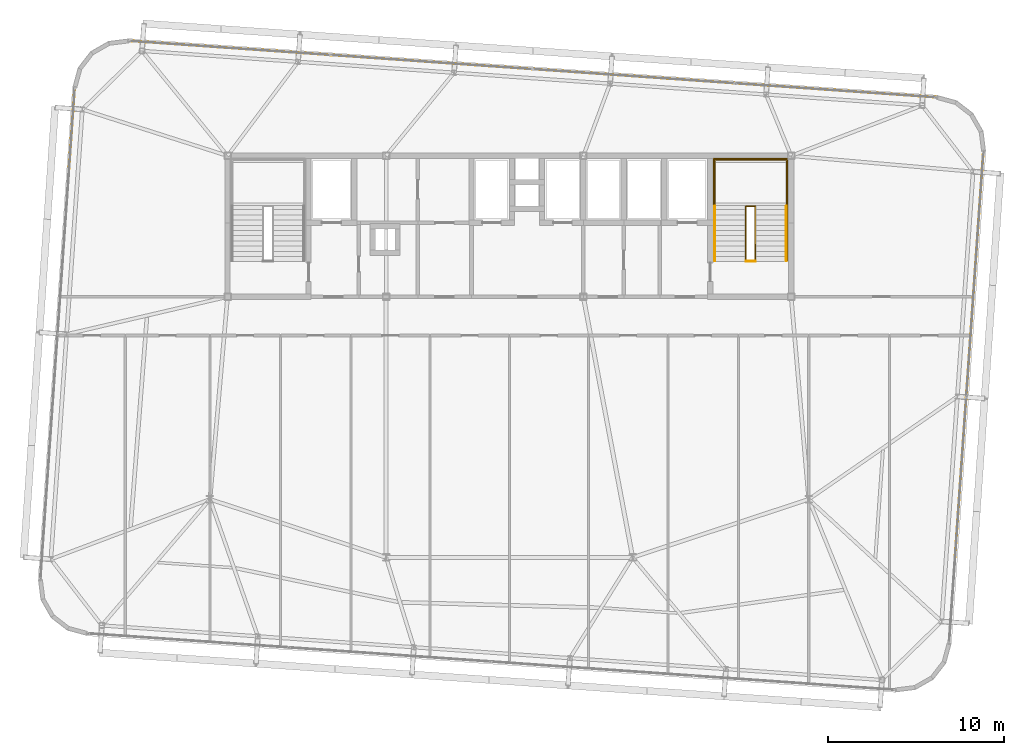
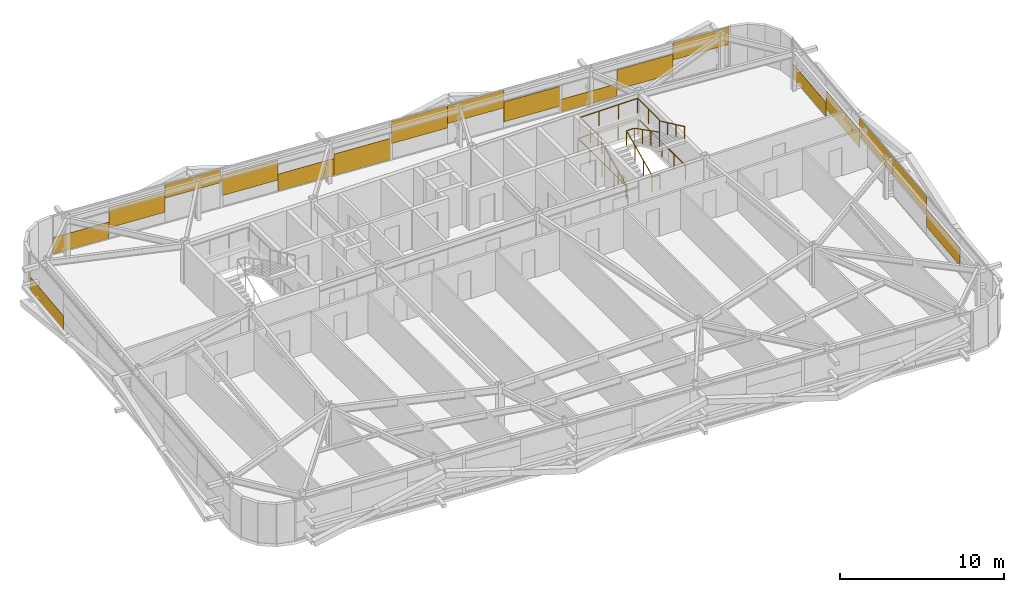
# One storey, part 39 of 39: 18 coverings, 6 railings.
"""IFC4 building model written with IfcOpenShell, lengths in metres."""

from ifc_helpers import new_model, si_unit, direction, frame, origin, origin_2d, place, context, subcontext, project, spatial, rectangle, extrude, source, transform, mapped, material, layer, layer_set, type_object, element, save


model = new_model("IFC4")

# Units and contexts
model_context = context("Model", 3, precision=1e-05, world=origin(), true_north=direction((0.0, 1.0)))
body_context = subcontext(model_context, "Body", "Model", "MODEL_VIEW")
ifc_project = project(units=[si_unit("LENGTHUNIT", "METRE"), si_unit("AREAUNIT", "SQUARE_METRE"), si_unit("VOLUMEUNIT", "CUBIC_METRE"), si_unit("PLANEANGLEUNIT", "RADIAN"), si_unit("MASSUNIT", "GRAM", prefix="KILO")], contexts=[model_context])

# Site, building, storey
site_placement = place(None, origin())
site = spatial("IfcSite", under=ifc_project, at=site_placement, CompositionType="ELEMENT")
building_placement = place(site_placement, origin())
building = spatial("IfcBuilding", under=site, at=building_placement, Name="Taldren Reach Tower", CompositionType="ELEMENT")
storey_placement = place(building_placement, frame((0.0, 0.0, 158.199951171875)))
storey = spatial("IfcBuildingStorey", under=building, at=storey_placement, Name="L48", CompositionType="ELEMENT", Elevation=158.199951171875)

# Railings
ifc_material_1 = material(Name="Steel Gr 350 (C350L0)", Category="steel")
ifc_layer_1 = layer(ifc_material_1, 0.050048828125)
ifc_layer_set_1 = layer_set([ifc_layer_1], Name="Steel Gr 350 (C350L0)")
railing_type_1 = type_object("IfcRailingType", Name="RL-STAIR-GR", PredefinedType="GUARDRAIL", material=ifc_layer_set_1)
railing_1_placement = place(storey_placement, frame((46.659912109375, 29.135009765625, 1.574951171875)))
element("IfcRailing", 1, at=railing_1_placement, inside=storey, type_object=railing_type_1, Name="Stair half-landing perimeter guard ST2-L48", PredefinedType="GUARDRAIL", context=body_context, shape_type="SweptSolid", body=[
    extrude(rectangle(XDim=0.047852, YDim=0.047852, at=origin_2d()), frame((0.0, 0.0, 1.09619140625), z_axis=(0.0, 1.0, 0.0), x_axis=(-1.0, 0.0, 0.0)), (0.0, 0.0, 1.0), 2.64501953125),
    extrude(rectangle(XDim=0.047852, YDim=0.047852, at=origin_2d()), frame((0.0, 2.64501953125, 1.09619140625), z_axis=(1.0, 0.0, 0.0), x_axis=(0.0, 1.0, 0.0)), (0.0, 0.0, 1.0), 4.080078125),
    extrude(rectangle(XDim=0.047852, YDim=0.047852, at=origin_2d()), frame((4.080078125, 2.64501953125, 1.09619140625), z_axis=(0.0, -1.0, 0.0), x_axis=(1.0, 0.0, 0.0)), (0.0, 0.0, 1.0), 2.64501953125),
    extrude(rectangle(XDim=0.041992, YDim=0.041992, at=origin_2d()), origin(), (0.0, 0.0, 1.0), 1.072021484375),
    extrude(rectangle(XDim=0.041992, YDim=0.041992, at=origin_2d()), frame((0.0, 1.322509765625, 0.0)), (0.0, 0.0, 1.0), 1.072021484375),
    extrude(rectangle(XDim=0.041992, YDim=0.041992, at=origin_2d()), frame((0.0, 2.64501953125, 0.0)), (0.0, 0.0, 1.0), 1.072021484375),
    extrude(rectangle(XDim=0.041992, YDim=0.041992, at=origin_2d()), frame((1.360107421875, 2.64501953125, 0.0)), (0.0, 0.0, 1.0), 1.072021484375),
    extrude(rectangle(XDim=0.041992, YDim=0.041992, at=origin_2d()), frame((2.719970703125, 2.64501953125, 0.0)), (0.0, 0.0, 1.0), 1.072021484375),
    extrude(rectangle(XDim=0.041992, YDim=0.041992, at=origin_2d()), frame((4.080078125, 2.64501953125, 0.0)), (0.0, 0.0, 1.0), 1.072021484375),
    extrude(rectangle(XDim=0.041992, YDim=0.041992, at=origin_2d()), frame((4.080078125, 1.322509765625, 0.0)), (0.0, 0.0, 1.0), 1.072021484375),
    extrude(rectangle(XDim=0.041992, YDim=0.041992, at=origin_2d()), frame((4.080078125, 0.0, 0.0)), (0.0, 0.0, 1.0), 1.072021484375),
])
railing_2_placement = place(storey_placement, frame((48.429931640625, 26.050048828125, 0.13134765625)))
element("IfcRailing", 2, at=railing_2_placement, inside=storey, type_object=railing_type_1, Name="Stairwell inner guard ST2-L48", PredefinedType="GUARDRAIL", context=body_context, shape_type="SweptSolid", body=[
    extrude(rectangle(XDim=0.047852, YDim=0.047852, at=origin_2d()), frame((0.0, 0.0, 1.09619140625), z_axis=(0.0, 0.905737652094, 0.423838773095), x_axis=(-1.0, 0.0, 0.0)), (0.0, 0.0, 1.0), 3.406005859375),
    extrude(rectangle(XDim=0.047852, YDim=0.047852, at=origin_2d()), frame((0.0, 3.0849609375, 2.53955078125), z_axis=(1.0, 0.0, 0.0), x_axis=(0.0, 1.0, 0.0)), (0.0, 0.0, 1.0), 0.5400390625),
    extrude(rectangle(XDim=0.047852, YDim=0.047852, at=origin_2d()), frame((0.5400390625, 3.0849609375, 2.53955078125), z_axis=(0.0, -0.890617412389, 0.454753366946), x_axis=(1.0, 0.0, 0.0)), (0.0, 0.0, 1.0), 3.4638671875),
    extrude(rectangle(XDim=0.041992, YDim=0.041992, at=origin_2d()), origin(), (0.0, 0.0, 1.0), 1.072021484375),
    extrude(rectangle(XDim=0.041992, YDim=0.041992, at=origin_2d()), frame((0.0, 1.0283203125, 0.481201171875)), (0.0, 0.0, 1.0), 1.072021484375),
    extrude(rectangle(XDim=0.041992, YDim=0.041992, at=origin_2d()), frame((0.0, 2.056640625, 0.96240234375)), (0.0, 0.0, 1.0), 1.072021484375),
    extrude(rectangle(XDim=0.041992, YDim=0.041992, at=origin_2d()), frame((0.0, 3.0849609375, 1.443603515625)), (0.0, 0.0, 1.0), 1.072021484375),
    extrude(rectangle(XDim=0.041992, YDim=0.041992, at=origin_2d()), frame((0.5400390625, 3.0849609375, 1.443603515625)), (0.0, 0.0, 1.0), 1.072021484375),
    extrude(rectangle(XDim=0.041992, YDim=0.041992, at=origin_2d()), frame((0.5400390625, 2.056640625, 1.96875)), (0.0, 0.0, 1.0), 1.072021484375),
    extrude(rectangle(XDim=0.041992, YDim=0.041992, at=origin_2d()), frame((0.5400390625, 1.0283203125, 2.49365234375)), (0.0, 0.0, 1.0), 1.072021484375),
    extrude(rectangle(XDim=0.041992, YDim=0.041992, at=origin_2d()), frame((0.5400390625, 0.0, 3.018798828125)), (0.0, 0.0, 1.0), 1.072021484375),
])
railing_3_placement = place(storey_placement, frame((48.429931640625, 26.010009765625, 0.0)))
element("IfcRailing", 3, at=railing_3_placement, inside=storey, type_object=railing_type_1, Name="Stairwell landing slot guard ST2-L48", PredefinedType="GUARDRAIL", context=body_context, shape_type="SweptSolid", body=[
    extrude(rectangle(XDim=0.047852, YDim=0.047852, at=origin_2d()), frame((0.0, 0.0, 1.09619140625), z_axis=(1.0, 0.0, 0.0), x_axis=(0.0, 1.0, 0.0)), (0.0, 0.0, 1.0), 0.5400390625),
    extrude(rectangle(XDim=0.041992, YDim=0.041992, at=origin_2d()), origin(), (0.0, 0.0, 1.0), 1.072021484375),
    extrude(rectangle(XDim=0.041992, YDim=0.041992, at=origin_2d()), frame((0.5400390625, 0.0, 0.0)), (0.0, 0.0, 1.0), 1.072021484375),
])
railing_4_placement = place(storey_placement, frame((46.590087890625, 26.050048828125, 0.0)))
element("IfcRailing", 4, at=railing_4_placement, inside=storey, type_object=railing_type_1, Name="Stairwell floor opening guard ST2-L48", PredefinedType="GUARDRAIL", context=body_context, shape_type="SweptSolid", body=[
    extrude(rectangle(XDim=0.047852, YDim=0.047852, at=origin_2d()), frame((0.0, 0.0, 1.09619140625), z_axis=(0.0, 1.0, 0.0), x_axis=(-1.0, 0.0, 0.0)), (0.0, 0.0, 1.0), 5.800048828125),
    extrude(rectangle(XDim=0.047852, YDim=0.047852, at=origin_2d()), frame((0.0, 5.800048828125, 1.09619140625), z_axis=(1.0, 0.0, 0.0), x_axis=(0.0, 1.0, 0.0)), (0.0, 0.0, 1.0), 4.219970703125),
    extrude(rectangle(XDim=0.047852, YDim=0.047852, at=origin_2d()), frame((4.219970703125, 5.800048828125, 1.09619140625), z_axis=(0.0, -1.0, 0.0), x_axis=(1.0, 0.0, 0.0)), (0.0, 0.0, 1.0), 5.800048828125),
    extrude(rectangle(XDim=0.041992, YDim=0.041992, at=origin_2d()), origin(), (0.0, 0.0, 1.0), 1.072021484375),
    extrude(rectangle(XDim=0.041992, YDim=0.041992, at=origin_2d()), frame((0.0, 1.449951171875, 0.0)), (0.0, 0.0, 1.0), 1.072021484375),
    extrude(rectangle(XDim=0.041992, YDim=0.041992, at=origin_2d()), frame((0.0, 2.89990234375, 0.0)), (0.0, 0.0, 1.0), 1.072021484375),
    extrude(rectangle(XDim=0.041992, YDim=0.041992, at=origin_2d()), frame((0.0, 4.35009765625, 0.0)), (0.0, 0.0, 1.0), 1.072021484375),
    extrude(rectangle(XDim=0.041992, YDim=0.041992, at=origin_2d()), frame((0.0, 5.800048828125, 0.0)), (0.0, 0.0, 1.0), 1.072021484375),
    extrude(rectangle(XDim=0.041992, YDim=0.041992, at=origin_2d()), frame((1.40673828125, 5.800048828125, 0.0)), (0.0, 0.0, 1.0), 1.072021484375),
    extrude(rectangle(XDim=0.041992, YDim=0.041992, at=origin_2d()), frame((2.813232421875, 5.800048828125, 0.0)), (0.0, 0.0, 1.0), 1.072021484375),
    extrude(rectangle(XDim=0.041992, YDim=0.041992, at=origin_2d()), frame((4.219970703125, 5.800048828125, 0.0)), (0.0, 0.0, 1.0), 1.072021484375),
    extrude(rectangle(XDim=0.041992, YDim=0.041992, at=origin_2d()), frame((4.219970703125, 4.35009765625, 0.0)), (0.0, 0.0, 1.0), 1.072021484375),
    extrude(rectangle(XDim=0.041992, YDim=0.041992, at=origin_2d()), frame((4.219970703125, 2.89990234375, 0.0)), (0.0, 0.0, 1.0), 1.072021484375),
    extrude(rectangle(XDim=0.041992, YDim=0.041992, at=origin_2d()), frame((4.219970703125, 1.449951171875, 0.0)), (0.0, 0.0, 1.0), 1.072021484375),
    extrude(rectangle(XDim=0.041992, YDim=0.041992, at=origin_2d()), frame((4.219970703125, 0.0, 0.0)), (0.0, 0.0, 1.0), 1.072021484375),
])
ifc_material_2 = material(Name="Stainless Steel Gr 316", Category="steel")
ifc_layer_2 = layer(ifc_material_2, 0.048095703125)
ifc_layer_set_2 = layer_set([ifc_layer_2], Name="Stainless Steel Gr 316")
railing_type_2 = type_object("IfcRailingType", Name="RL-STAIR-HR", PredefinedType="HANDRAIL", material=ifc_layer_set_2)
railing_5_placement = place(storey_placement, frame((46.669921875, 26.050048828125, 0.13134765625)))
element("IfcRailing", 5, at=railing_5_placement, inside=storey, type_object=railing_type_2, Name="Stair flight handrail ST2-L48-1", PredefinedType="HANDRAIL", context=body_context, shape_type="SweptSolid", body=[
    extrude(rectangle(XDim=0.047852, YDim=0.047852, at=origin_2d()), frame((0.0, 0.0, 0.89599609375), z_axis=(0.0, 0.905737652094, 0.423838773095), x_axis=(-1.0, 0.0, 0.0)), (0.0, 0.0, 1.0), 3.406005859375),
    extrude(rectangle(XDim=0.041992, YDim=0.041992, at=origin_2d()), origin(), (0.0, 0.0, 1.0), 0.871826171875),
    extrude(rectangle(XDim=0.041992, YDim=0.041992, at=origin_2d()), frame((0.0, 1.0283203125, 0.481201171875)), (0.0, 0.0, 1.0), 0.871826171875),
    extrude(rectangle(XDim=0.041992, YDim=0.041992, at=origin_2d()), frame((0.0, 2.056640625, 0.96240234375)), (0.0, 0.0, 1.0), 0.871826171875),
    extrude(rectangle(XDim=0.041992, YDim=0.041992, at=origin_2d()), frame((0.0, 3.0849609375, 1.443603515625)), (0.0, 0.0, 1.0), 0.871826171875),
])
railing_6_placement = place(storey_placement, frame((50.72998046875, 29.135009765625, 1.706298828125)))
element("IfcRailing", 6, at=railing_6_placement, inside=storey, type_object=railing_type_2, Name="Stair flight handrail ST2-L48-2", PredefinedType="HANDRAIL", context=body_context, shape_type="SweptSolid", body=[
    extrude(rectangle(XDim=0.047852, YDim=0.047852, at=origin_2d()), frame((0.0, 0.0, 0.89599609375), z_axis=(0.0, -0.905710134349, 0.423897573167), x_axis=(1.0, 0.0, 0.0)), (0.0, 0.0, 1.0), 3.406005859375),
    extrude(rectangle(XDim=0.041992, YDim=0.041992, at=origin_2d()), origin(), (0.0, 0.0, 1.0), 0.871826171875),
    extrude(rectangle(XDim=0.041992, YDim=0.041992, at=origin_2d()), frame((0.0, -1.0283203125, 0.481201171875)), (0.0, 0.0, 1.0), 0.871826171875),
    extrude(rectangle(XDim=0.041992, YDim=0.041992, at=origin_2d()), frame((0.0, -2.056640625, 0.962646484375)), (0.0, 0.0, 1.0), 0.871826171875),
    extrude(rectangle(XDim=0.041992, YDim=0.041992, at=origin_2d()), frame((0.0, -3.0849609375, 1.44384765625)), (0.0, 0.0, 1.0), 0.871826171875),
])

# Coverings
ifc_material_3 = material(Name="Pale Champagne Fluoropolymer Aluminium Spandrel Cladding", Category="aluminium")
ifc_layer_3 = layer(ifc_material_3, 0.0439453125)
ifc_layer_set_3 = layer_set([ifc_layer_3], Name="Pale Champagne Fluoropolymer Aluminium Spandrel Cladding")
covering_type = type_object("IfcCoveringType", Name="CV-CLAD-044", PredefinedType="CLADDING", material=ifc_layer_set_3)
shared_shape_1 = source(origin(), body_context, "Body", "SweptSolid", [
    extrude(rectangle(XDim=3.79833984375, YDim=0.0439453125, at=origin_2d()), origin(), (0.0, 0.0, 1.0), 1.22216796875),
])
covering_1_placement = place(storey_placement, frame((15.346435546875, 38.385986328125, 0.05517578125), z_axis=(0.0, 0.0, 1.0), x_axis=(-0.99756404731, 0.06975651593, 0.0)))
element("IfcCovering", 7, at=covering_1_placement, inside=storey, type_object=covering_type, Name="Diagrid closure cladding strip CW-4 panel 4.1 3", PredefinedType="CLADDING", context=body_context, shape_type="MappedRepresentation", body=[
    mapped(shared_shape_1, transform((0.0, 0.0, 0.0), scale=1.0)),
])
shared_shape_2 = source(origin(), body_context, "Body", "SweptSolid", [
    extrude(rectangle(XDim=3.79833984375, YDim=0.0439453125, at=origin_2d()), origin(), (0.0, 0.0, 1.0), 1.474365234375),
])
for number, where, z_axis, x_axis, name in (
    (8, (53.5166015625, 35.716796875, 0.5537109375), (0.0, 0.0, 1.0), (-0.99756404731, 0.06975651593, 0.0), "Diagrid closure cladding strip CW-4 panel 1.1 2"),
    (9, (19.135498046875, 38.12109375, 0.84228515625), (0.0, 0.0, 1.0), (-0.99756404731, 0.06975651593, 0.0), "Diagrid closure cladding strip CW-4 panel 4.1 2"),
):
    element("IfcCovering", number, at=place(storey_placement, frame(where, z_axis=z_axis, x_axis=x_axis)), inside=storey, type_object=covering_type, Name=name, PredefinedType="CLADDING", context=body_context, shape_type="MappedRepresentation", body=[
        mapped(shared_shape_2, transform((0.0, 0.0, 0.0), scale=1.0)),
    ])
shared_shape_3 = source(origin(), body_context, "Body", "SweptSolid", [
    extrude(rectangle(XDim=3.79833984375, YDim=0.0439453125, at=origin_2d()), origin(), (0.0, 0.0, 1.0), 0.993408203125),
])
covering_2_placement = place(storey_placement, frame((22.924560546875, 37.85595703125, 1.8818359375), z_axis=(0.0, 0.0, 1.0), x_axis=(-0.99756404731, 0.06975651593, 0.0)))
element("IfcCovering", 10, at=covering_2_placement, inside=storey, type_object=covering_type, Name="Diagrid closure cladding strip CW-4 panel 4.1 1", PredefinedType="CLADDING", context=body_context, shape_type="MappedRepresentation", body=[
    mapped(shared_shape_3, transform((0.0, 0.0, 0.0), scale=1.0)),
])
shared_shape_4 = source(origin(), body_context, "Body", "SweptSolid", [
    extrude(rectangle(XDim=3.81005859375, YDim=0.0439453125, at=origin_2d()), origin(), (0.0, 0.0, 1.0), 1.477783203125),
])
for number, where, z_axis, x_axis, name in (
    (11, (45.86279296875, 36.251953125, 0.51025390625), (0.0, 0.0, 1.0), (-0.99756404731, 0.06975651593, 0.0), "Diagrid closure cladding strip CW-4 panel 2.1 1"),
    (12, (26.789306640625, 37.585693359375, 0.88232421875), (0.0, 0.0, 1.0), (-0.99756404731, 0.06975651593, 0.0), "Diagrid closure cladding strip CW-4 panel 3.1 3"),
):
    element("IfcCovering", number, at=place(storey_placement, frame(where, z_axis=z_axis, x_axis=x_axis)), inside=storey, type_object=covering_type, Name=name, PredefinedType="CLADDING", context=body_context, shape_type="MappedRepresentation", body=[
        mapped(shared_shape_4, transform((0.0, 0.0, 0.0), scale=1.0)),
    ])
shared_shape_5 = source(origin(), body_context, "Body", "SweptSolid", [
    extrude(rectangle(XDim=3.81005859375, YDim=0.0439453125, at=origin_2d()), origin(), (0.0, 0.0, 1.0), 1.26220703125),
])
covering_3_placement = place(storey_placement, frame((30.590087890625, 37.320068359375, 0.05517578125), z_axis=(0.0, 0.0, 1.0), x_axis=(-0.99756404731, 0.06975651593, 0.0)))
element("IfcCovering", 13, at=covering_3_placement, inside=storey, type_object=covering_type, Name="Diagrid closure cladding strip CW-4 panel 3.1 2", PredefinedType="CLADDING", context=body_context, shape_type="MappedRepresentation", body=[
    mapped(shared_shape_5, transform((0.0, 0.0, 0.0), scale=1.0)),
])
shared_shape_6 = source(origin(), body_context, "Body", "SweptSolid", [
    extrude(rectangle(XDim=3.81005859375, YDim=0.0439453125, at=origin_2d()), origin(), (0.0, 0.0, 1.0), 1.587890625),
])
covering_4_placement = place(storey_placement, frame((34.390869140625, 37.05419921875, 0.05517578125), z_axis=(0.0, 0.0, 1.0), x_axis=(-0.99756404731, 0.06975651593, 0.0)))
element("IfcCovering", 14, at=covering_4_placement, inside=storey, type_object=covering_type, Name="Diagrid closure cladding strip CW-4 panel 3.1 1", PredefinedType="CLADDING", context=body_context, shape_type="MappedRepresentation", body=[
    mapped(shared_shape_6, transform((0.0, 0.0, 0.0), scale=1.0)),
])
shared_shape_7 = source(origin(), body_context, "Body", "SweptSolid", [
    extrude(rectangle(XDim=3.81005859375, YDim=0.0439453125, at=origin_2d()), origin(), (0.0, 0.0, 1.0), 1.64794921875),
])
covering_5_placement = place(storey_placement, frame((38.261474609375, 36.78369140625, 1.22705078125), z_axis=(0.0, 0.0, 1.0), x_axis=(-0.99756404731, 0.06975651593, 0.0)))
element("IfcCovering", 15, at=covering_5_placement, inside=storey, type_object=covering_type, Name="Diagrid closure cladding strip CW-4 panel 2.1 3", PredefinedType="CLADDING", context=body_context, shape_type="MappedRepresentation", body=[
    mapped(shared_shape_7, transform((0.0, 0.0, 0.0), scale=1.0)),
])
shared_shape_8 = source(origin(), body_context, "Body", "SweptSolid", [
    extrude(rectangle(XDim=3.81005859375, YDim=0.0439453125, at=origin_2d()), origin(), (0.0, 0.0, 1.0), 1.322265625),
])
covering_6_placement = place(storey_placement, frame((42.06201171875, 36.517822265625, 1.552734375), z_axis=(0.0, 0.0, 1.0), x_axis=(-0.99756404731, 0.06975651593, 0.0)))
element("IfcCovering", 16, at=covering_6_placement, inside=storey, type_object=covering_type, Name="Diagrid closure cladding strip CW-4 panel 2.1 2", PredefinedType="CLADDING", context=body_context, shape_type="MappedRepresentation", body=[
    mapped(shared_shape_8, transform((0.0, 0.0, 0.0), scale=1.0)),
])
shared_shape_9 = source(origin(), body_context, "Body", "SweptSolid", [
    extrude(rectangle(XDim=3.79833984375, YDim=0.0439453125, at=origin_2d()), origin(), (0.0, 0.0, 1.0), 0.93359375),
])
covering_7_placement = place(storey_placement, frame((49.7275390625, 35.981689453125, 0.054931640625), z_axis=(0.0, 0.0, 1.0), x_axis=(-0.99756404731, 0.06975651593, 0.0)))
element("IfcCovering", 17, at=covering_7_placement, inside=storey, type_object=covering_type, Name="Diagrid closure cladding strip CW-4 panel 1.1 3", PredefinedType="CLADDING", context=body_context, shape_type="MappedRepresentation", body=[
    mapped(shared_shape_9, transform((0.0, 0.0, 0.0), scale=1.0)),
])
shared_shape_10 = source(origin(), body_context, "Body", "SweptSolid", [
    extrude(rectangle(XDim=3.79833984375, YDim=0.0439453125, at=origin_2d()), origin(), (0.0, 0.0, 1.0), 1.2822265625),
])
covering_8_placement = place(storey_placement, frame((57.3056640625, 35.451904296875, 1.5927734375), z_axis=(0.0, 0.0, 1.0), x_axis=(-0.99756404731, 0.06975651593, 0.0)))
element("IfcCovering", 18, at=covering_8_placement, inside=storey, type_object=covering_type, Name="Diagrid closure cladding strip CW-4 panel 1.1 1", PredefinedType="CLADDING", context=body_context, shape_type="MappedRepresentation", body=[
    mapped(shared_shape_10, transform((0.0, 0.0, 0.0), scale=1.0)),
])
shared_shape_11 = source(origin(), body_context, "Body", "SweptSolid", [
    extrude(rectangle(XDim=4.631591796875, YDim=0.0439453125, at=origin_2d()), origin(), (0.0, 0.0, 1.0), 1.04345703125),
])
for number, where, z_axis, x_axis, name in (
    (19, (10.1630859375, 33.48974609375, 0.054931640625), (0.0, 0.0, 1.0), (-0.069756437251, -0.997564052812, 0.0), "Diagrid closure cladding strip CW-4 panel 1.1 1"),
    (20, (61.757080078125, 29.882080078125, 0.054931640625), (0.0, 0.0, 1.0), (0.069756437251, 0.997564052812, 0.0), "Diagrid closure cladding strip CW-4 panel 2.1 3"),
):
    element("IfcCovering", number, at=place(storey_placement, frame(where, z_axis=z_axis, x_axis=x_axis)), inside=storey, type_object=covering_type, Name=name, PredefinedType="CLADDING", context=body_context, shape_type="MappedRepresentation", body=[
        mapped(shared_shape_11, transform((0.0, 0.0, 0.0), scale=1.0)),
    ])
shared_shape_12 = source(origin(), body_context, "Body", "SweptSolid", [
    extrude(rectangle(XDim=4.631591796875, YDim=0.0439453125, at=origin_2d()), origin(), (0.0, 0.0, 1.0), 1.306640625),
])
for number, where, z_axis, x_axis, name in (
    (21, (60.4599609375, 11.33056640625, 0.671142578125), (0.0, 0.0, 1.0), (0.069756437251, 0.997564052812, 0.0), "Diagrid closure cladding strip CW-4 panel 1.1 2"),
    (22, (61.43408203125, 25.261474609375, 0.671142578125), (0.0, 0.0, 1.0), (0.069756437251, 0.997564052812, 0.0), "Diagrid closure cladding strip CW-4 panel 2.1 2"),
):
    element("IfcCovering", number, at=place(storey_placement, frame(where, z_axis=z_axis, x_axis=x_axis)), inside=storey, type_object=covering_type, Name=name, PredefinedType="CLADDING", context=body_context, shape_type="MappedRepresentation", body=[
        mapped(shared_shape_12, transform((0.0, 0.0, 0.0), scale=1.0)),
    ])
shared_shape_13 = source(origin(), body_context, "Body", "SweptSolid", [
    extrude(rectangle(XDim=4.631591796875, YDim=0.0439453125, at=origin_2d()), origin(), (0.0, 0.0, 1.0), 1.32470703125),
])
for number, where, z_axis, x_axis, name in (
    (23, (60.782958984375, 15.950927734375, 1.55029296875), (0.0, 0.0, 1.0), (0.069756437251, 0.997564052812, 0.0), "Diagrid closure cladding strip CW-4 panel 1.1 3"),
    (24, (61.111083984375, 20.64111328125, 1.55029296875), (0.0, 0.0, 1.0), (0.069756437251, 0.997564052812, 0.0), "Diagrid closure cladding strip CW-4 panel 2.1 1"),
):
    element("IfcCovering", number, at=place(storey_placement, frame(where, z_axis=z_axis, x_axis=x_axis)), inside=storey, type_object=covering_type, Name=name, PredefinedType="CLADDING", context=body_context, shape_type="MappedRepresentation", body=[
        mapped(shared_shape_13, transform((0.0, 0.0, 0.0), scale=1.0)),
    ])

save(model, "model.ifc")
